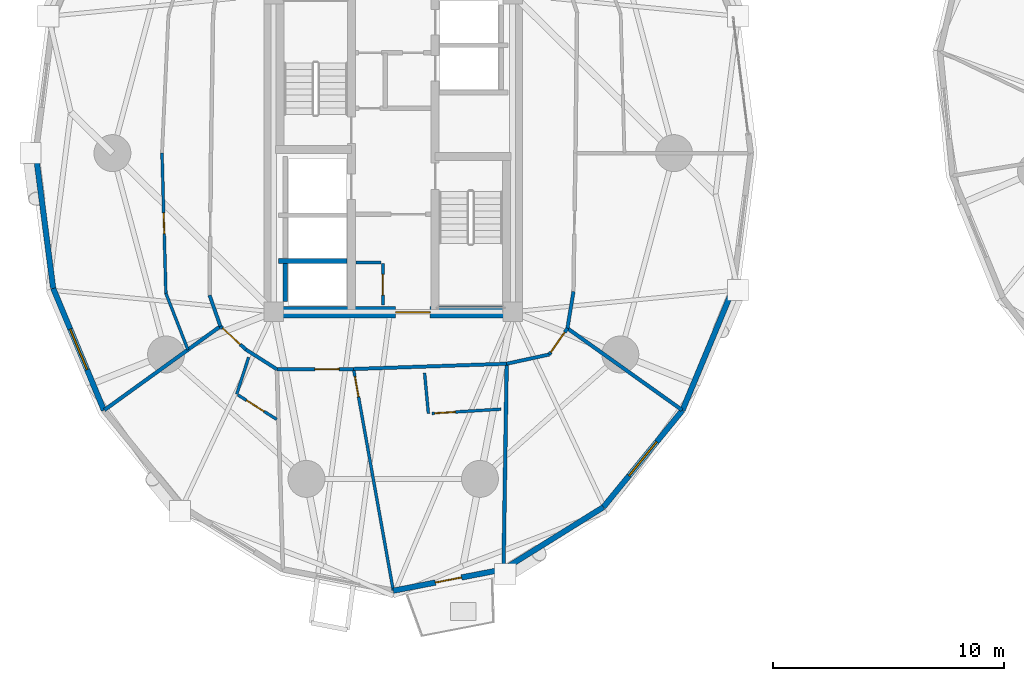
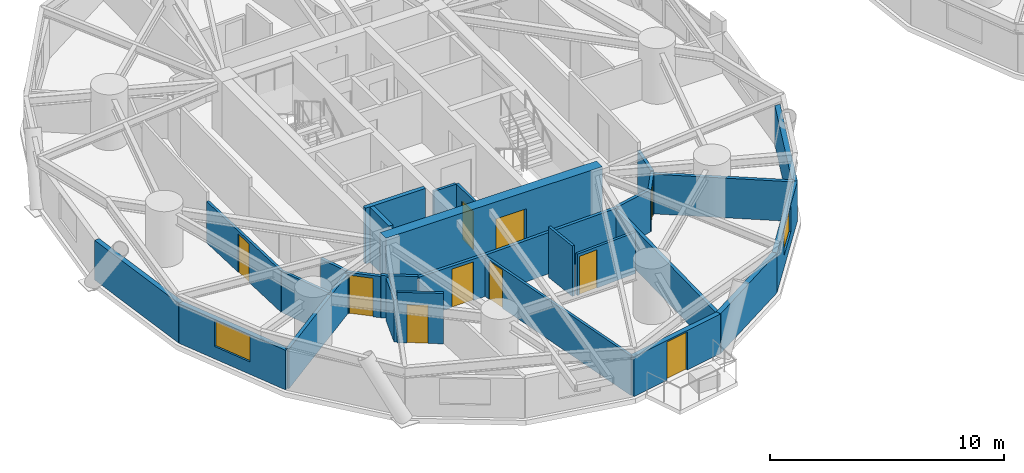
# One storey, part 10 of 20: 29 walls, 10 doors, 2 windows, 12 openings.
"""IFC4 building model written with IfcOpenShell, lengths in metres."""

from ifc_helpers import new_model, si_unit, direction, frame, frame_2d, origin, place, context, subcontext, project, spatial, rectangle, extrude, source, transform, mapped, material, layer, layer_set, type_object, element, fill, save


model = new_model("IFC4")

# Units and contexts
model_context = context("Model", 3, precision=1e-05, world=origin(), true_north=direction((0.0, 1.0)))
body_context = subcontext(model_context, "Body", "Model", "MODEL_VIEW")
ifc_project = project(units=[si_unit("LENGTHUNIT", "METRE"), si_unit("AREAUNIT", "SQUARE_METRE"), si_unit("VOLUMEUNIT", "CUBIC_METRE"), si_unit("PLANEANGLEUNIT", "RADIAN"), si_unit("MASSUNIT", "GRAM", prefix="KILO")], contexts=[model_context])

# Site, building, storey
site_placement = place(None, origin())
site = spatial("IfcSite", under=ifc_project, at=site_placement, CompositionType="ELEMENT")
building_placement = place(site_placement, origin())
building = spatial("IfcBuilding", under=site, at=building_placement, Name="Cununo Teusaquillo Station Towers", CompositionType="ELEMENT")
storey_placement = place(building_placement, frame((0.0, 0.0, 39.4599609375)))
storey = spatial("IfcBuildingStorey", under=building, at=storey_placement, Name="L11", CompositionType="ELEMENT", Elevation=39.4599609375)

# Walls
ifc_material_1 = material(Name="Concrete C50/60", Category="concrete")
ifc_layer_1 = layer(ifc_material_1, 0.199951171875)
ifc_layer_set_1 = layer_set([ifc_layer_1], Name="Concrete C50/60")
wall_type_1 = type_object("IfcWallType", Name="WL-CORE-200", PredefinedType="SHEAR", material=ifc_layer_set_1)
wall_1_placement = place(storey_placement, frame((11.52001953125, 19.824951171875, 0.0), z_axis=(0.0, 0.0, 1.0), x_axis=(1.0, 0.0, 0.0)))
element("IfcWall", 1, at=wall_1_placement, inside=storey, type_object=wall_type_1, Name="L11 Tower A High-Rise Lift Hoistway Divider Shear Wall", PredefinedType="SHEAR", context=body_context, shape_type="SweptSolid", body=[
    extrude(rectangle(XDim=2.969970703125, YDim=0.199951171875, at=frame_2d((1.48486328125, 0.0))), origin(), (0.0, 0.0, 1.0), 2.91015625),
])
wall_2_placement = place(storey_placement, frame((11.820068359375, 18.070068359375, 0.0), z_axis=(0.0, 0.0, 1.0), x_axis=(0.0, 1.0, 0.0)))
element("IfcWall", 2, at=wall_2_placement, inside=storey, type_object=wall_type_1, Name="L11 Tower A High-Rise Lift 1 Shaft Rear Shear Wall", PredefinedType="SHEAR", context=body_context, shape_type="SweptSolid", body=[
    extrude(rectangle(XDim=1.635009765625, YDim=0.199951171875, at=frame_2d((0.8173828125, 0.0))), origin(), (0.0, 0.0, 1.0), 2.91015625),
])

# Wall, opening, door
ifc_material_2 = material(Name="Concrete C60/75", Category="concrete")
ifc_layer_2 = layer(ifc_material_2, 0.5)
ifc_layer_set_2 = layer_set([ifc_layer_2], Name="Concrete C60/75")
wall_type_2 = type_object("IfcWallType", Name="WL-CORE-500", PredefinedType="SHEAR", material=ifc_layer_set_2)
wall_3_placement = place(storey_placement, frame((11.14990234375, 17.60009765625, 0.0), z_axis=(0.0, 0.0, 1.0), x_axis=(1.0, 0.0, 0.0)))
wall_3 = element("IfcWall", 3, at=wall_3_placement, inside=storey, type_object=wall_type_2, Name="L11 Tower A Core Shear Wall S", PredefinedType="SHEAR", context=body_context, shape_type="SweptSolid", body=[
    extrude(rectangle(XDim=10.7001953125, YDim=0.5, at=frame_2d((5.35009765625, 0.0))), origin(), (0.0, 0.0, 1.0), 2.91015625),
])
shared_shape_1 = source(origin(), body_context, "Body", "SweptSolid", [
    extrude(rectangle(XDim=1.5, YDim=2.02001953125, at=frame_2d((0.75, 1.010009765625))), frame((0.0, 0.260009765625, 0.0), z_axis=(0.0, -1.0, 0.0), x_axis=(1.0, 0.0, 0.0)), (0.0, 0.0, 1.0), 0.52001953125),
])
opening_1_placement = place(wall_3_placement, frame((5.449951171875, 0.0, 0.0)))
opening_1 = element("IfcOpeningElement", 4, at=opening_1_placement, cuts=wall_3, Name="Opening D-LB1", PredefinedType="OPENING", context=body_context, shape_type="MappedRepresentation", body=[
    mapped(shared_shape_1, transform((0.0, 0.0, 0.0), x_axis=(1.0, 0.0, 0.0), y_axis=(0.0, 1.0, 0.0), z_axis=(0.0, 0.0, 1.0), scale=1.0)),
])
ifc_material_3 = material(Name="Galvanised fire-rated hollow steel door assembly", Category="steel")
door_type_1 = type_object("IfcDoorType", Name="DR-LOBBY-1500", OperationType="DOUBLE_DOOR_SINGLE_SWING", PredefinedType="DOOR", material=ifc_material_3)
shared_shape_2 = source(origin(), body_context, "Body", "SweptSolid", [
    extrude(rectangle(XDim=1.5, YDim=2.02001953125, at=frame_2d((0.75, 1.010009765625))), frame((0.0, 0.02490234375, 0.0), z_axis=(0.0, -1.0, 0.0), x_axis=(1.0, 0.0, 0.0)), (0.0, 0.0, 1.0), 0.050048828125),
])
door_1_placement = place(opening_1_placement, origin())
door_1 = element("IfcDoor", 5, at=door_1_placement, inside=storey, type_object=door_type_1, Name="L11 Tower A South Core Lift Lobby Door", OperationType="DOUBLE_DOOR_SINGLE_SWING", OverallHeight=2.02001953125, OverallWidth=1.5, PredefinedType="DOOR", context=body_context, shape_type="MappedRepresentation", body=[
    mapped(shared_shape_2, transform((0.0, 0.0, 0.0), x_axis=(1.0, 0.0, 0.0), y_axis=(0.0, 1.0, 0.0), z_axis=(0.0, 0.0, 1.0), scale=1.0)),
])
fill(opening_1, door_1)

# Wall
ifc_material_4 = material(Name="Precast concrete C40/50", Category="concrete")
ifc_layer_3 = layer(ifc_material_4, 0.239990234375)
ifc_layer_set_3 = layer_set([ifc_layer_3], Name="Precast concrete C40/50")
wall_type_3 = type_object("IfcWallType", Name="WL-EXT-240", PredefinedType="SOLIDWALL", material=ifc_layer_set_3)
wall_4_placement = place(storey_placement, frame((1.759521484375, 18.637939453125, 0.0), z_axis=(0.0, 0.0, 1.0), x_axis=(-0.128329107357, 0.991731637191, 0.0)))
element("IfcWall", 6, at=wall_4_placement, inside=storey, type_object=wall_type_3, Name="L11 Tower A Exterior Facade Wall C10", PredefinedType="SOLIDWALL", context=body_context, shape_type="SweptSolid", body=[
    extrude(rectangle(XDim=5.910888671875, YDim=0.239990234375, at=frame_2d((2.95556640625, 0.0))), origin(), (0.0, 0.0, 1.0), 2.072998046875),
])

# Wall, opening, window
wall_5_placement = place(storey_placement, frame((3.9609375, 13.349609375, 0.0), z_axis=(0.0, 0.0, 1.0), x_axis=(-0.38430970593, 0.923204229804, 0.0)))
wall_5 = element("IfcWall", 7, at=wall_5_placement, inside=storey, type_object=wall_type_3, Name="L11 Tower A Exterior Facade Wall C11", PredefinedType="SOLIDWALL", context=body_context, shape_type="SweptSolid", body=[
    extrude(rectangle(XDim=5.728271484375, YDim=0.239990234375, at=frame_2d((2.8642578125, 0.0))), origin(), (0.0, 0.0, 1.0), 2.072998046875),
])
shared_shape_3 = source(origin(), body_context, "Body", "SweptSolid", [
    extrude(rectangle(XDim=1.89990234375, YDim=1.35009765625, at=frame_2d((0.949951171875, 0.675048828125))), frame((0.0, 0.1298828125, 0.0), z_axis=(0.0, -1.0, 0.0), x_axis=(1.0, 0.0, 0.0)), (0.0, 0.0, 1.0), 0.260009765625),
])
opening_2_placement = place(wall_5_placement, frame((1.9140625, 0.0, 0.64990234375)))
opening_2 = element("IfcOpeningElement", 8, at=opening_2_placement, cuts=wall_5, Name="Opening WN-02", PredefinedType="OPENING", context=body_context, shape_type="MappedRepresentation", body=[
    mapped(shared_shape_3, transform((0.0, 0.0, 0.0), x_axis=(1.0, 0.0, 0.0), y_axis=(0.0, 1.0, 0.0), z_axis=(0.0, 0.0, 1.0), scale=1.0)),
])
ifc_material_5 = material(Name="Operable acoustic tinted low-E double glazing", Category="glass")
window_type = type_object("IfcWindowType", Name="WIN-OPER-1900", PartitioningType="DOUBLE_PANEL_VERTICAL", PredefinedType="WINDOW", material=ifc_material_5)
shared_shape_4 = source(origin(), body_context, "Body", "SweptSolid", [
    extrude(rectangle(XDim=1.89990234375, YDim=1.35009765625, at=frame_2d((0.949951171875, 0.675048828125))), frame((0.0, 0.030029296875, 0.0), z_axis=(0.0, -1.0, 0.0), x_axis=(1.0, 0.0, 0.0)), (0.0, 0.0, 1.0), 0.06005859375),
])
window_1_placement = place(opening_2_placement, origin())
window_1 = element("IfcWindow", 9, at=window_1_placement, inside=storey, type_object=window_type, Name="L11 Tower A Facade Window C11", OverallHeight=1.35009765625, OverallWidth=1.89990234375, PartitioningType="DOUBLE_PANEL_VERTICAL", PredefinedType="WINDOW", context=body_context, shape_type="MappedRepresentation", body=[
    mapped(shared_shape_4, transform((0.0, 0.0, 0.0), x_axis=(1.0, 0.0, 0.0), y_axis=(0.0, 1.0, 0.0), z_axis=(0.0, 0.0, 1.0), scale=1.0)),
])
fill(opening_2, window_1)

# Wall, opening, door
wall_6_placement = place(storey_placement, frame((21.28955078125, 6.45849609375, 0.0), z_axis=(0.0, 0.0, 1.0), x_axis=(-0.981724094622, -0.190309752872, 0.0)))
wall_6 = element("IfcWall", 10, at=wall_6_placement, inside=storey, type_object=wall_type_3, Name="L11 Tower A Exterior Facade Wall C15", PredefinedType="SOLIDWALL", context=body_context, shape_type="SweptSolid", body=[
    extrude(rectangle(XDim=4.878662109375, YDim=0.239990234375, at=frame_2d((2.439453125, 0.0))), origin(), (0.0, 0.0, 1.0), 2.072998046875),
])
shared_shape_5 = source(origin(), body_context, "Body", "SweptSolid", [
    extrude(rectangle(XDim=1.14990234375, YDim=2.0048828125, at=frame_2d((0.574951171875, 1.00244140625))), frame((0.0, 0.1298828125, 0.0), z_axis=(0.0, -1.0, 0.0), x_axis=(1.0, 0.0, 0.0)), (0.0, 0.0, 1.0), 0.260009765625),
])
opening_3_placement = place(wall_6_placement, frame((1.864013671875, 0.0, 0.0)))
opening_3 = element("IfcOpeningElement", 11, at=opening_3_placement, cuts=wall_6, Name="Opening ED-03", PredefinedType="OPENING", context=body_context, shape_type="MappedRepresentation", body=[
    mapped(shared_shape_5, transform((0.0, 0.0, 0.0), x_axis=(1.0, 0.0, 0.0), y_axis=(0.0, 1.0, 0.0), z_axis=(0.0, 0.0, 1.0), scale=1.0)),
])
ifc_material_6 = material(Name="Anodised dark bronze aluminium EN AW-6063-T6", Category="aluminium")
door_type_2 = type_object("IfcDoorType", Name="DR-EXT-BAL", OperationType="NOTDEFINED", PredefinedType="DOOR", material=ifc_material_6)
shared_shape_6 = source(origin(), body_context, "Body", "SweptSolid", [
    extrude(rectangle(XDim=1.14990234375, YDim=2.0048828125, at=frame_2d((0.574951171875, 1.00244140625))), frame((0.0, 0.02490234375, 0.0), z_axis=(0.0, -1.0, 0.0), x_axis=(1.0, 0.0, 0.0)), (0.0, 0.0, 1.0), 0.050048828125),
])
door_2_placement = place(opening_3_placement, origin())
door_2 = element("IfcDoor", 12, at=door_2_placement, inside=storey, type_object=door_type_2, Name="L11 Tower A Tree Balcony Door C15", OperationType="SINGLE_SWING_LEFT", OverallHeight=2.0048828125, OverallWidth=1.14990234375, PredefinedType="DOOR", context=body_context, shape_type="MappedRepresentation", body=[
    mapped(shared_shape_6, transform((0.0, 0.0, 0.0), x_axis=(1.0, 0.0, 0.0), y_axis=(0.0, 1.0, 0.0), z_axis=(0.0, 0.0, 1.0), scale=1.0)),
])
fill(opening_3, door_2)

# Wall
wall_7_placement = place(storey_placement, frame((25.610107421875, 9.15283203125, 0.0), z_axis=(0.0, 0.0, 1.0), x_axis=(-0.848528534887, -0.529149624853, 0.0)))
element("IfcWall", 13, at=wall_7_placement, inside=storey, type_object=wall_type_3, Name="L11 Tower A Exterior Facade Wall C16", PredefinedType="SOLIDWALL", context=body_context, shape_type="SweptSolid", body=[
    extrude(rectangle(XDim=5.091796875, YDim=0.239990234375, at=frame_2d((2.5458984375, 0.0))), origin(), (0.0, 0.0, 1.0), 2.072998046875),
])

# Wall, opening, window
wall_8_placement = place(storey_placement, frame((29.0390625, 13.349609375, 0.0), z_axis=(0.0, 0.0, 1.0), x_axis=(-0.632710215588, -0.774388651189, 0.0)))
wall_8 = element("IfcWall", 14, at=wall_8_placement, inside=storey, type_object=wall_type_3, Name="L11 Tower A Exterior Facade Wall C17", PredefinedType="SOLIDWALL", context=body_context, shape_type="SweptSolid", body=[
    extrude(rectangle(XDim=5.41943359375, YDim=0.239990234375, at=frame_2d((2.709716796875, 0.0))), origin(), (0.0, 0.0, 1.0), 2.072998046875),
])
opening_4_placement = place(wall_8_placement, frame((1.760009765625, 0.0, 0.64990234375)))
opening_4 = element("IfcOpeningElement", 15, at=opening_4_placement, cuts=wall_8, Name="Opening WN-02", PredefinedType="OPENING", context=body_context, shape_type="MappedRepresentation", body=[
    mapped(shared_shape_3, transform((0.0, 0.0, 0.0), x_axis=(1.0, 0.0, 0.0), y_axis=(0.0, 1.0, 0.0), z_axis=(0.0, 0.0, 1.0), scale=1.0)),
])
window_2_placement = place(opening_4_placement, origin())
window_2 = element("IfcWindow", 16, at=window_2_placement, inside=storey, type_object=window_type, Name="L11 Tower A Facade Window C17", OverallHeight=1.35009765625, OverallWidth=1.89990234375, PartitioningType="DOUBLE_PANEL_VERTICAL", PredefinedType="WINDOW", context=body_context, shape_type="MappedRepresentation", body=[
    mapped(shared_shape_4, transform((0.0, 0.0, 0.0), x_axis=(1.0, 0.0, 0.0), y_axis=(0.0, 1.0, 0.0), z_axis=(0.0, 0.0, 1.0), scale=1.0)),
])
fill(opening_4, window_2)

# Wall
wall_9_placement = place(storey_placement, frame((31.240478515625, 18.637939453125, 0.0), z_axis=(0.0, 0.0, 1.0), x_axis=(-0.38430970593, -0.923204229804, 0.0)))
element("IfcWall", 17, at=wall_9_placement, inside=storey, type_object=wall_type_3, Name="L11 Tower A Exterior Facade Wall C18", PredefinedType="SOLIDWALL", context=body_context, shape_type="SweptSolid", body=[
    extrude(rectangle(XDim=5.728271484375, YDim=0.239990234375, at=frame_2d((2.8642578125, 0.0))), origin(), (0.0, 0.0, 1.0), 2.072998046875),
])

# Wall, opening, door
ifc_material_7 = material(Name="Fire-rated gypsum plasterboard partition assembly", Category="gypsum")
ifc_layer_4 = layer(ifc_material_7, 0.125)
ifc_layer_set_4 = layer_set([ifc_layer_4], Name="Fire-rated gypsum plasterboard partition assembly")
wall_type_4 = type_object("IfcWallType", Name="WL-PART-125", PredefinedType="PARTITIONING", material=ifc_layer_set_4)
wall_10_placement = place(storey_placement, frame((16.050048828125, 17.919921875, 0.0), z_axis=(0.0, 0.0, 1.0), x_axis=(0.0, 1.0, 0.0)))
wall_10 = element("IfcWall", 18, at=wall_10_placement, inside=storey, type_object=wall_type_4, Name="L11 Tower A South-West Compact Store East Wall", PredefinedType="PARTITIONING", context=body_context, shape_type="SweptSolid", body=[
    extrude(rectangle(XDim=1.800048828125, YDim=0.125, at=frame_2d((0.89990234375, 0.0))), origin(), (0.0, 0.0, 1.0), 2.635009765625),
])
shared_shape_7 = source(origin(), body_context, "Body", "SweptSolid", [
    extrude(rectangle(XDim=0.89990234375, YDim=2.0048828125, at=frame_2d((0.449951171875, 1.00244140625))), frame((0.0, 0.072509765625, 0.0), z_axis=(0.0, -1.0, 0.0), x_axis=(1.0, 0.0, 0.0)), (0.0, 0.0, 1.0), 0.14501953125),
])
opening_5_placement = place(wall_10_placement, frame((0.419921875, 0.0, 0.0)))
opening_5 = element("IfcOpeningElement", 19, at=opening_5_placement, cuts=wall_10, Name="Opening D-SR1", PredefinedType="OPENING", context=body_context, shape_type="MappedRepresentation", body=[
    mapped(shared_shape_7, transform((0.0, 0.0, 0.0), x_axis=(1.0, 0.0, 0.0), y_axis=(0.0, 1.0, 0.0), z_axis=(0.0, 0.0, 1.0), scale=1.0)),
])
ifc_material_8 = material(Name="Galvanised fire-rated hollow steel door assembly", Category="steel")
door_type_3 = type_object("IfcDoorType", Name="DR-STORE-900", OperationType="NOTDEFINED", PredefinedType="DOOR", material=ifc_material_8)
shared_shape_8 = source(origin(), body_context, "Body", "SweptSolid", [
    extrude(rectangle(XDim=0.89990234375, YDim=2.0048828125, at=frame_2d((0.449951171875, 1.00244140625))), frame((0.0, 0.02490234375, 0.0), z_axis=(0.0, -1.0, 0.0), x_axis=(1.0, 0.0, 0.0)), (0.0, 0.0, 1.0), 0.050048828125),
])
door_3_placement = place(opening_5_placement, origin())
door_3 = element("IfcDoor", 20, at=door_3_placement, inside=storey, type_object=door_type_3, Name="L11 Tower A Core Electrical & Comms Store Door", OperationType="SINGLE_SWING_RIGHT", OverallHeight=2.0048828125, OverallWidth=0.89990234375, PredefinedType="DOOR", context=body_context, shape_type="MappedRepresentation", body=[
    mapped(shared_shape_8, transform((0.0, 0.0, 0.0), x_axis=(1.0, 0.0, 0.0), y_axis=(0.0, 1.0, 0.0), z_axis=(0.0, 0.0, 1.0), scale=1.0)),
])
fill(opening_5, door_3)

# Wall
wall_11_placement = place(storey_placement, frame((14.8798828125, 19.75, 0.0), z_axis=(0.0, 0.0, 1.0), x_axis=(1.0, 0.0, 0.0)))
element("IfcWall", 21, at=wall_11_placement, inside=storey, type_object=wall_type_4, Name="L11 Tower A South-West Compact Store North Wall", PredefinedType="PARTITIONING", context=body_context, shape_type="SweptSolid", body=[
    extrude(rectangle(XDim=1.10009765625, YDim=0.125, at=frame_2d((0.550048828125, 0.0))), origin(), (0.0, 0.0, 1.0), 2.635009765625),
])

# Wall, opening, door
wall_12_placement = place(storey_placement, frame((6.477783203125, 24.5, 0.0), z_axis=(0.0, 0.0, 1.0), x_axis=(0.027593153947, -0.999619236437, 0.0)))
wall_12 = element("IfcWall", 22, at=wall_12_placement, inside=storey, type_object=wall_type_4, Name="L11 Tower A Hotel Hydrotherapy Wellness Spa Concentric Partition Wall C10", PredefinedType="PARTITIONING", context=body_context, shape_type="SweptSolid", body=[
    extrude(rectangle(XDim=6.078369140625, YDim=0.125, at=frame_2d((3.0390625, 0.0))), origin(), (0.0, 0.0, 1.0), 2.158935546875),
])
opening_6_placement = place(wall_12_placement, frame((2.58935546875, 0.0, 0.0)))
opening_6 = element("IfcOpeningElement", 23, at=opening_6_placement, cuts=wall_12, Name="Opening D-IN1", PredefinedType="OPENING", context=body_context, shape_type="MappedRepresentation", body=[
    mapped(shared_shape_7, transform((0.0, 0.0, 0.0), x_axis=(1.0, 0.0, 0.0), y_axis=(0.0, 1.0, 0.0), z_axis=(0.0, 0.0, 1.0), scale=1.0)),
])
ifc_material_9 = material(Name="Acoustic solid-core hardwood leaf assembly", Category="wood")
door_type_4 = type_object("IfcDoorType", Name="DR-INT-900", OperationType="NOTDEFINED", PredefinedType="DOOR", material=ifc_material_9)
door_4_placement = place(opening_6_placement, origin())
door_4 = element("IfcDoor", 24, at=door_4_placement, inside=storey, type_object=door_type_4, Name="L11 Tower A Hotel Hydrotherapy Wellness Spa Connecting Door", OperationType="SINGLE_SWING_LEFT", OverallHeight=2.0048828125, OverallWidth=0.89990234375, PredefinedType="DOOR", context=body_context, shape_type="MappedRepresentation", body=[
    mapped(shared_shape_8, transform((0.0, 0.0, 0.0), x_axis=(1.0, 0.0, 0.0), y_axis=(0.0, 1.0, 0.0), z_axis=(0.0, 0.0, 1.0), scale=1.0)),
])
fill(opening_6, door_4)

# Walls
wall_13_placement = place(storey_placement, frame((6.6455078125, 18.423828125, 0.0), z_axis=(0.0, 0.0, 1.0), x_axis=(0.363782486735, -0.931483924899, 0.0)))
element("IfcWall", 25, at=wall_13_placement, inside=storey, type_object=wall_type_4, Name="L11 Tower A Hotel Hydrotherapy Wellness Spa Concentric Partition Wall C11", PredefinedType="PARTITIONING", context=body_context, shape_type="SweptSolid", body=[
    extrude(rectangle(XDim=2.626708984375, YDim=0.125, at=frame_2d((1.3134765625, 0.0))), origin(), (0.0, 0.0, 1.0), 2.158935546875),
])
wall_14_placement = place(storey_placement, frame((10.23486328125, 15.651123046875, 0.0), z_axis=(0.0, 0.0, 1.0), x_axis=(-0.309082792716, -0.951035134602, 0.0)))
element("IfcWall", 26, at=wall_14_placement, inside=storey, type_object=wall_type_4, Name="L11 Tower A S05 En-suite Side Wall", PredefinedType="PARTITIONING", context=body_context, shape_type="SweptSolid", body=[
    extrude(rectangle(XDim=1.683349609375, YDim=0.125, at=frame_2d((0.841796875, 0.0))), origin(), (0.0, 0.0, 1.0), 2.205078125),
])

# Wall, opening, door
wall_15_placement = place(storey_placement, frame((9.76708984375, 14.01708984375, 0.0), z_axis=(0.0, 0.0, 1.0), x_axis=(0.846347510567, -0.532631102506, 0.0)))
wall_15 = element("IfcWall", 27, at=wall_15_placement, inside=storey, type_object=wall_type_4, Name="L11 Tower A S05 En-suite Back Wall", PredefinedType="PARTITIONING", context=body_context, shape_type="SweptSolid", body=[
    extrude(rectangle(XDim=1.99072265625, YDim=0.125, at=frame_2d((0.995361328125, 0.0))), origin(), (0.0, 0.0, 1.0), 2.635009765625),
])
opening_7_placement = place(wall_15_placement, frame((0.43896484375, 0.0, 0.0)))
opening_7 = element("IfcOpeningElement", 28, at=opening_7_placement, cuts=wall_15, Name="Opening D-IN1", PredefinedType="OPENING", context=body_context, shape_type="MappedRepresentation", body=[
    mapped(shared_shape_7, transform((0.0, 0.0, 0.0), x_axis=(1.0, 0.0, 0.0), y_axis=(0.0, 1.0, 0.0), z_axis=(0.0, 0.0, 1.0), scale=1.0)),
])
door_5_placement = place(opening_7_placement, origin())
door_5 = element("IfcDoor", 29, at=door_5_placement, inside=storey, type_object=door_type_4, Name="L11 Tower A S05 En-suite Bathroom Door", OperationType="SINGLE_SWING_LEFT", OverallHeight=2.0048828125, OverallWidth=0.89990234375, PredefinedType="DOOR", context=body_context, shape_type="MappedRepresentation", body=[
    mapped(shared_shape_8, transform((0.0, 0.0, 0.0), x_axis=(1.0, 0.0, 0.0), y_axis=(0.0, 1.0, 0.0), z_axis=(0.0, 0.0, 1.0), scale=1.0)),
])
fill(opening_7, door_5)

wall_16_placement = place(storey_placement, frame((14.781005859375, 15.140625, 0.0), z_axis=(0.0, 0.0, 1.0), x_axis=(0.176426287524, -0.984313854962, 0.0)))
wall_16 = element("IfcWall", 30, at=wall_16_placement, inside=storey, type_object=wall_type_4, Name="L11 Tower A Governor Hospitality Suite Suite Subdividing Wall", PredefinedType="PARTITIONING", context=body_context, shape_type="SweptSolid", body=[
    extrude(rectangle(XDim=9.743408203125, YDim=0.125, at=frame_2d((4.87158203125, 0.0))), origin(), (0.0, 0.0, 1.0), 2.072998046875),
])
opening_8_placement = place(wall_16_placement, frame((0.330078125, 0.0, 0.0)))
opening_8 = element("IfcOpeningElement", 31, at=opening_8_placement, cuts=wall_16, Name="Opening D-IN1", PredefinedType="OPENING", context=body_context, shape_type="MappedRepresentation", body=[
    mapped(shared_shape_7, transform((0.0, 0.0, 0.0), x_axis=(1.0, 0.0, 0.0), y_axis=(0.0, 1.0, 0.0), z_axis=(0.0, 0.0, 1.0), scale=1.0)),
])
door_6_placement = place(opening_8_placement, origin())
door_6 = element("IfcDoor", 32, at=door_6_placement, inside=storey, type_object=door_type_4, Name="L11 Tower A Governor Hospitality Suite Suite Connecting Door", OperationType="SINGLE_SWING_LEFT", OverallHeight=2.0048828125, OverallWidth=0.89990234375, PredefinedType="DOOR", context=body_context, shape_type="MappedRepresentation", body=[
    mapped(shared_shape_8, transform((0.0, 0.0, 0.0), x_axis=(1.0, 0.0, 0.0), y_axis=(0.0, 1.0, 0.0), z_axis=(0.0, 0.0, 1.0), scale=1.0)),
])
fill(opening_8, door_6)

# Wall
wall_17_placement = place(storey_placement, frame((17.8603515625, 14.967529296875, 0.0), z_axis=(0.0, 0.0, 1.0), x_axis=(0.093037102593, -0.995662642435, 0.0)))
element("IfcWall", 33, at=wall_17_placement, inside=storey, type_object=wall_type_4, Name="L11 Tower A S06 En-suite Side Wall", PredefinedType="PARTITIONING", context=body_context, shape_type="SweptSolid", body=[
    extrude(rectangle(XDim=1.7685546875, YDim=0.125, at=frame_2d((0.88427734375, 0.0))), origin(), (0.0, 0.0, 1.0), 2.635009765625),
])

# Wall, opening, door
wall_18_placement = place(storey_placement, frame((18.1806640625, 13.216064453125, 0.0), z_axis=(0.0, 0.0, 1.0), x_axis=(0.998120468621, 0.061282380177, 0.0)))
wall_18 = element("IfcWall", 34, at=wall_18_placement, inside=storey, type_object=wall_type_4, Name="L11 Tower A S06 En-suite Back Wall", PredefinedType="PARTITIONING", context=body_context, shape_type="SweptSolid", body=[
    extrude(rectangle(XDim=2.995849609375, YDim=0.125, at=frame_2d((1.498046875, 0.0))), origin(), (0.0, 0.0, 1.0), 2.158935546875),
])
opening_9_placement = place(wall_18_placement, frame((0.1201171875, 0.0, 0.0)))
opening_9 = element("IfcOpeningElement", 35, at=opening_9_placement, cuts=wall_18, Name="Opening D-IN1", PredefinedType="OPENING", context=body_context, shape_type="MappedRepresentation", body=[
    mapped(shared_shape_7, transform((0.0, 0.0, 0.0), x_axis=(1.0, 0.0, 0.0), y_axis=(0.0, 1.0, 0.0), z_axis=(0.0, 0.0, 1.0), scale=1.0)),
])
door_7_placement = place(opening_9_placement, origin())
door_7 = element("IfcDoor", 36, at=door_7_placement, inside=storey, type_object=door_type_4, Name="L11 Tower A S06 En-suite Bathroom Door", OperationType="SINGLE_SWING_RIGHT", OverallHeight=2.0048828125, OverallWidth=0.89990234375, PredefinedType="DOOR", context=body_context, shape_type="MappedRepresentation", body=[
    mapped(shared_shape_8, transform((0.0, 0.0, 0.0), x_axis=(1.0, 0.0, 0.0), y_axis=(0.0, 1.0, 0.0), z_axis=(0.0, 0.0, 1.0), scale=1.0)),
])
fill(opening_9, door_7)

# Wall
ifc_material_10 = material(Name="Fire-rated gypsum plasterboard partition assembly", Category="gypsum")
ifc_layer_5 = layer(ifc_material_10, 0.14990234375)
ifc_layer_set_5 = layer_set([ifc_layer_5], Name="Fire-rated gypsum plasterboard partition assembly")
wall_type_5 = type_object("IfcWallType", Name="WL-PART-150", PredefinedType="PARTITIONING", material=ifc_layer_set_5)
wall_19_placement = place(storey_placement, frame((8.538330078125, 18.338134765625, 0.0), z_axis=(0.0, 0.0, 1.0), x_axis=(0.331358150167, -0.94350504838, 0.0)))
element("IfcWall", 37, at=wall_19_placement, inside=storey, type_object=wall_type_5, Name="L11 Tower A Corridor Ring Wall C11", PredefinedType="PARTITIONING", context=body_context, shape_type="SweptSolid", body=[
    extrude(rectangle(XDim=1.42431640625, YDim=0.14990234375, at=frame_2d((0.712158203125, 0.0))), origin(), (0.0, 0.0, 1.0), 2.205078125),
])

# Wall, opening, door
wall_20_placement = place(storey_placement, frame((9.01025390625, 16.994384765625, 0.0), z_axis=(0.0, 0.0, 1.0), x_axis=(0.737701798986, -0.67512669609, 0.0)))
wall_20 = element("IfcWall", 38, at=wall_20_placement, inside=storey, type_object=wall_type_5, Name="L11 Tower A Corridor Ring Wall C12", PredefinedType="PARTITIONING", context=body_context, shape_type="SweptSolid", body=[
    extrude(rectangle(XDim=1.498291015625, YDim=0.14990234375, at=frame_2d((0.7490234375, 0.0))), origin(), (0.0, 0.0, 1.0), 2.158935546875),
])
shared_shape_9 = source(origin(), body_context, "Body", "SweptSolid", [
    extrude(rectangle(XDim=1.050048828125, YDim=2.014892578125, at=frame_2d((0.52490234375, 1.00732421875))), frame((0.0, 0.0849609375, 0.0), z_axis=(0.0, -1.0, 0.0), x_axis=(1.0, 0.0, 0.0)), (0.0, 0.0, 1.0), 0.169921875),
])
opening_10_placement = place(wall_20_placement, frame((0.1201171875, 0.0, 0.0)))
opening_10 = element("IfcOpeningElement", 39, at=opening_10_placement, cuts=wall_20, Name="Opening D-SU1", PredefinedType="OPENING", context=body_context, shape_type="MappedRepresentation", body=[
    mapped(shared_shape_9, transform((0.0, 0.0, 0.0), x_axis=(1.0, 0.0, 0.0), y_axis=(0.0, 1.0, 0.0), z_axis=(0.0, 0.0, 1.0), scale=1.0)),
])
ifc_material_11 = material(Name="Acoustic solid-core hardwood leaf assembly", Category="wood")
door_type_5 = type_object("IfcDoorType", Name="DR-SUITE-1050", OperationType="NOTDEFINED", PredefinedType="DOOR", material=ifc_material_11)
shared_shape_10 = source(origin(), body_context, "Body", "SweptSolid", [
    extrude(rectangle(XDim=1.050048828125, YDim=2.014892578125, at=frame_2d((0.52490234375, 1.00732421875))), frame((0.0, 0.02490234375, 0.0), z_axis=(0.0, -1.0, 0.0), x_axis=(1.0, 0.0, 0.0)), (0.0, 0.0, 1.0), 0.050048828125),
])
door_8_placement = place(opening_10_placement, origin())
door_8 = element("IfcDoor", 40, at=door_8_placement, inside=storey, type_object=door_type_5, Name="L11 Tower A Imperial Corner Hotel Suite Entrance Door", OperationType="SINGLE_SWING_RIGHT", OverallHeight=2.014892578125, OverallWidth=1.050048828125, PredefinedType="DOOR", context=body_context, shape_type="MappedRepresentation", body=[
    mapped(shared_shape_10, transform((0.0, 0.0, 0.0), x_axis=(1.0, 0.0, 0.0), y_axis=(0.0, 1.0, 0.0), z_axis=(0.0, 0.0, 1.0), scale=1.0)),
])
fill(opening_10, door_8)

# Wall
wall_21_placement = place(storey_placement, frame((10.115478515625, 15.98291015625, 0.0), z_axis=(0.0, 0.0, 1.0), x_axis=(0.843995849351, -0.536349705209, 0.0)))
element("IfcWall", 41, at=wall_21_placement, inside=storey, type_object=wall_type_5, Name="L11 Tower A Corridor Ring Wall C13", PredefinedType="PARTITIONING", context=body_context, shape_type="SweptSolid", body=[
    extrude(rectangle(XDim=1.5927734375, YDim=0.14990234375, at=frame_2d((0.79638671875, 0.0))), origin(), (0.0, 0.0, 1.0), 2.205078125),
])

# Wall, opening, door
wall_22_placement = place(storey_placement, frame((11.459716796875, 15.128662109375, 0.0), z_axis=(0.0, 0.0, 1.0), x_axis=(0.999993513287, 0.003601858435, 0.0)))
wall_22 = element("IfcWall", 42, at=wall_22_placement, inside=storey, type_object=wall_type_5, Name="L11 Tower A Corridor Ring Wall C14", PredefinedType="PARTITIONING", context=body_context, shape_type="SweptSolid", body=[
    extrude(rectangle(XDim=3.3212890625, YDim=0.14990234375, at=frame_2d((1.66064453125, 0.0))), origin(), (0.0, 0.0, 1.0), 2.158935546875),
])
opening_11_placement = place(wall_22_placement, frame((1.643310546875, 0.0, 0.0)))
opening_11 = element("IfcOpeningElement", 43, at=opening_11_placement, cuts=wall_22, Name="Opening D-SU1", PredefinedType="OPENING", context=body_context, shape_type="MappedRepresentation", body=[
    mapped(shared_shape_9, transform((0.0, 0.0, 0.0), x_axis=(1.0, 0.0, 0.0), y_axis=(0.0, 1.0, 0.0), z_axis=(0.0, 0.0, 1.0), scale=1.0)),
])
door_9_placement = place(opening_11_placement, origin())
door_9 = element("IfcDoor", 44, at=door_9_placement, inside=storey, type_object=door_type_5, Name="L11 Tower A Governor Hospitality Suite Entrance Door", OperationType="SINGLE_SWING_RIGHT", OverallHeight=2.014892578125, OverallWidth=1.050048828125, PredefinedType="DOOR", context=body_context, shape_type="MappedRepresentation", body=[
    mapped(shared_shape_10, transform((0.0, 0.0, 0.0), x_axis=(1.0, 0.0, 0.0), y_axis=(0.0, 1.0, 0.0), z_axis=(0.0, 0.0, 1.0), scale=1.0)),
])
fill(opening_11, door_9)

# Walls
wall_23_placement = place(storey_placement, frame((14.781005859375, 15.140625, 0.0), z_axis=(0.0, 0.0, 1.0), x_axis=(0.999407918707, 0.034406569513, 0.0)))
element("IfcWall", 45, at=wall_23_placement, inside=storey, type_object=wall_type_5, Name="L11 Tower A Corridor Ring Wall C15", PredefinedType="PARTITIONING", context=body_context, shape_type="SweptSolid", body=[
    extrude(rectangle(XDim=6.6416015625, YDim=0.14990234375, at=frame_2d((3.32080078125, 0.0))), origin(), (0.0, 0.0, 1.0), 2.158935546875),
])
wall_24_placement = place(storey_placement, frame((21.418701171875, 15.369140625, 0.0), z_axis=(0.0, 0.0, 1.0), x_axis=(0.977192701953, 0.212354475464, 0.0)))
element("IfcWall", 46, at=wall_24_placement, inside=storey, type_object=wall_type_5, Name="L11 Tower A Corridor Ring Wall C16", PredefinedType="PARTITIONING", context=body_context, shape_type="SweptSolid", body=[
    extrude(rectangle(XDim=1.8876953125, YDim=0.14990234375, at=frame_2d((0.94384765625, 0.0))), origin(), (0.0, 0.0, 1.0), 2.205078125),
])

# Wall, opening, door
wall_25_placement = place(storey_placement, frame((23.263427734375, 15.77001953125, 0.0), z_axis=(0.0, 0.0, 1.0), x_axis=(0.570743456919, 0.821128434768, 0.0)))
wall_25 = element("IfcWall", 47, at=wall_25_placement, inside=storey, type_object=wall_type_5, Name="L11 Tower A Corridor Ring Wall C17", PredefinedType="PARTITIONING", context=body_context, shape_type="SweptSolid", body=[
    extrude(rectangle(XDim=1.381591796875, YDim=0.14990234375, at=frame_2d((0.69091796875, 0.0))), origin(), (0.0, 0.0, 1.0), 2.158935546875),
])
opening_12_placement = place(wall_25_placement, frame((0.1201171875, 0.0, 0.0)))
opening_12 = element("IfcOpeningElement", 48, at=opening_12_placement, cuts=wall_25, Name="Opening D-SU1", PredefinedType="OPENING", context=body_context, shape_type="MappedRepresentation", body=[
    mapped(shared_shape_9, transform((0.0, 0.0, 0.0), x_axis=(1.0, 0.0, 0.0), y_axis=(0.0, 1.0, 0.0), z_axis=(0.0, 0.0, 1.0), scale=1.0)),
])
door_10_placement = place(opening_12_placement, origin())
door_10 = element("IfcDoor", 49, at=door_10_placement, inside=storey, type_object=door_type_5, Name="L11 Tower A Hotel Housekeeping & Linen Pantry Entrance Door", OperationType="SINGLE_SWING_LEFT", OverallHeight=2.014892578125, OverallWidth=1.050048828125, PredefinedType="DOOR", context=body_context, shape_type="MappedRepresentation", body=[
    mapped(shared_shape_10, transform((0.0, 0.0, 0.0), x_axis=(1.0, 0.0, 0.0), y_axis=(0.0, 1.0, 0.0), z_axis=(0.0, 0.0, 1.0), scale=1.0)),
])
fill(opening_12, door_10)

# Walls
wall_26_placement = place(storey_placement, frame((24.052001953125, 16.904541015625, 0.0), z_axis=(0.0, 0.0, 1.0), x_axis=(0.162091534225, 0.986775726562, 0.0)))
element("IfcWall", 50, at=wall_26_placement, inside=storey, type_object=wall_type_5, Name="L11 Tower A Corridor Ring Wall C18", PredefinedType="PARTITIONING", context=body_context, shape_type="SweptSolid", body=[
    extrude(rectangle(XDim=1.613037109375, YDim=0.14990234375, at=frame_2d((0.806640625, 0.0))), origin(), (0.0, 0.0, 1.0), 2.205078125),
])
ifc_material_12 = material(Name="Fire-rated gypsum plasterboard partition assembly", Category="gypsum")
ifc_layer_6 = layer(ifc_material_12, 0.159912109375)
ifc_layer_set_6 = layer_set([ifc_layer_6], Name="Fire-rated gypsum plasterboard partition assembly")
wall_type_6 = type_object("IfcWallType", Name="WL-PART-160", PredefinedType="PARTITIONING", material=ifc_layer_set_6)
wall_27_placement = place(storey_placement, frame((9.01025390625, 16.994384765625, 0.0), z_axis=(0.0, 0.0, 1.0), x_axis=(-0.810839958558, -0.585267940012, 0.0)))
element("IfcWall", 51, at=wall_27_placement, inside=storey, type_object=wall_type_6, Name="L11 Tower A Radial Suite Partition R05", PredefinedType="PARTITIONING", context=body_context, shape_type="SweptSolid", body=[
    extrude(rectangle(XDim=6.20703125, YDim=0.159912109375, at=frame_2d((3.103515625, 0.0))), origin(), (0.0, 0.0, 1.0), 2.072998046875),
])
wall_28_placement = place(storey_placement, frame((21.418701171875, 15.369140625, 0.0), z_axis=(0.0, 0.0, 1.0), x_axis=(-0.015237110632, -0.999883908491, 0.0)))
element("IfcWall", 52, at=wall_28_placement, inside=storey, type_object=wall_type_6, Name="L11 Tower A Radial Suite Partition R07", PredefinedType="PARTITIONING", context=body_context, shape_type="SweptSolid", body=[
    extrude(rectangle(XDim=8.892578125, YDim=0.159912109375, at=frame_2d((4.4462890625, 0.0))), origin(), (0.0, 0.0, 1.0), 2.072998046875),
])
wall_29_placement = place(storey_placement, frame((24.052001953125, 16.904541015625, 0.0), z_axis=(0.0, 0.0, 1.0), x_axis=(0.814316784985, -0.580420686822, 0.0)))
element("IfcWall", 53, at=wall_29_placement, inside=storey, type_object=wall_type_6, Name="L11 Tower A Radial Suite Partition R08", PredefinedType="PARTITIONING", context=body_context, shape_type="SweptSolid", body=[
    extrude(rectangle(XDim=6.104248046875, YDim=0.159912109375, at=frame_2d((3.05224609375, 0.0))), origin(), (0.0, 0.0, 1.0), 2.072998046875),
])

save(model, "model.ifc")
